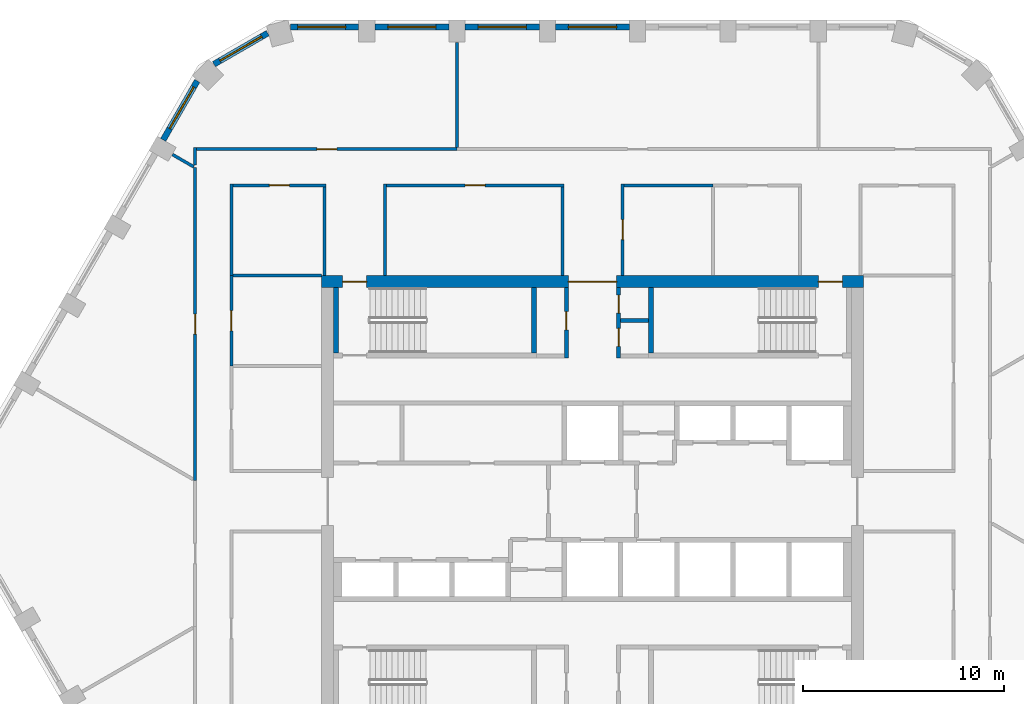
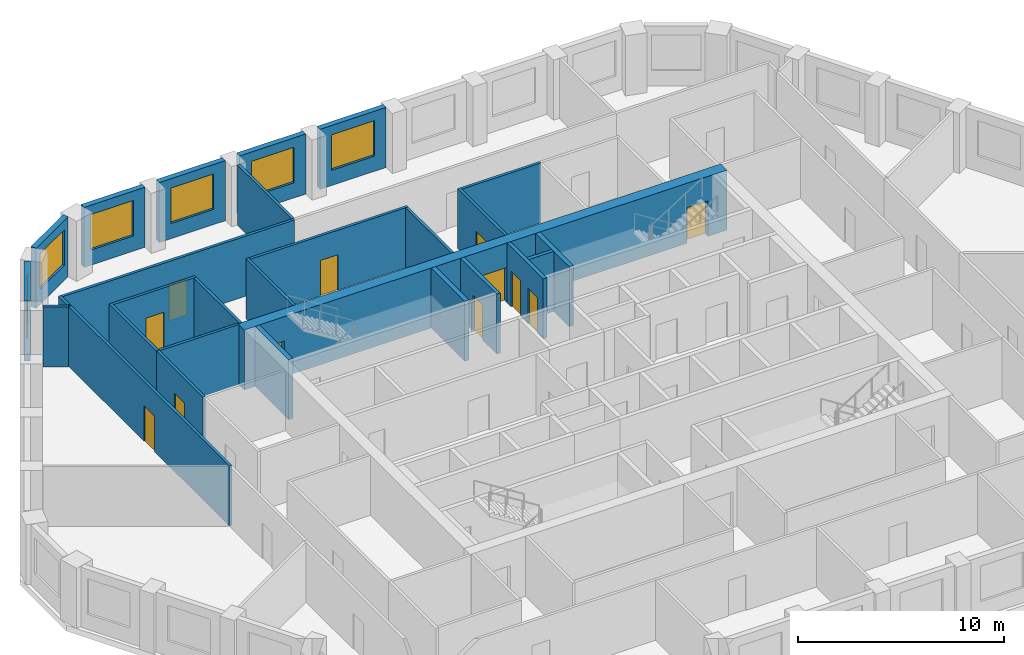
# One storey, part 6 of 9: 28 walls, 12 doors, 6 windows, 18 openings.
"""IFC4 building model written with IfcOpenShell, lengths in metres."""

import ifcopenshell
import ifcopenshell.guid

model = None  # the IFC model being written
_history = None  # IfcOwnerHistory: only IFC2X3 demands one
_inside = {}  # id of a spatial element -> (the spatial element, [elements in it])
_under = {}  # id of a project, library or spatial element -> (it, [spatial elements below it])
_declared = {}  # id of a project -> (the project, [libraries it declares])
_typed = {}  # id of a type object -> (the type object, [elements of that type])
_made_of = {}  # id of a material, layer set ... -> (it, [elements and type objects made of it])


def new_model(schema):
    """Start an empty IFC model of exactly this schema.

    Asked for "IFC4X3", IfcOpenShell would pick the latest addendum, in which some entities
    have other attributes; the version numbers below select the first issue.
    IFC2X3 requires an IfcOwnerHistory on every rooted entity: one is made here for all.
    """
    global model, _history
    if schema == "IFC4X3":
        model = ifcopenshell.file(schema_version=(4, 3, 0, 0))
    else:
        model = ifcopenshell.file(schema=schema)
    _inside.clear()
    _under.clear()
    _declared.clear()
    _typed.clear()
    _made_of.clear()
    _history = None
    if model.schema == "IFC2X3":
        org = make("IfcOrganization", Name="unknown")
        user = make(
            "IfcPersonAndOrganization",
            ThePerson=make("IfcPerson", FamilyName="unknown"),
            TheOrganization=org,
        )
        app = make(
            "IfcApplication",
            ApplicationDeveloper=org,
            Version="unknown",
            ApplicationFullName="unknown",
            ApplicationIdentifier="unknown",
        )
        _history = make(
            "IfcOwnerHistory",
            OwningUser=user,
            OwningApplication=app,
            ChangeAction="ADDED",
            CreationDate=0,
        )
    return model


def make(cls, **values):
    """One entity of the class cls with the attributes given. An attribute that is None is left unset."""
    return model.create_entity(
        cls, **{name: value for name, value in values.items() if value is not None}
    )


def rooted(cls, **values):
    """An entity with a GlobalId (a new one), such as an element, a storey or a relation."""
    return make(cls, GlobalId=ifcopenshell.guid.new(), OwnerHistory=_history, **values)


def si_unit(unit_type, name, prefix=None):
    """IfcSIUnit, for example si_unit("LENGTHUNIT", "METRE", prefix="MILLI")."""
    return make("IfcSIUnit", UnitType=unit_type, Prefix=prefix, Name=name)


def assignment(units):
    """IfcUnitAssignment: the units of a project."""
    return None if units is None else make("IfcUnitAssignment", Units=units)


def point(xyz):
    """IfcCartesianPoint."""
    return None if xyz is None else make("IfcCartesianPoint", Coordinates=xyz)


def direction(xyz):
    """IfcDirection."""
    return None if xyz is None else make("IfcDirection", DirectionRatios=xyz)


def frame(location, z_axis=None, x_axis=None):
    """IfcAxis2Placement3D, a coordinate frame: its origin and axes. An axis left out is left unset."""
    return make(
        "IfcAxis2Placement3D",
        Location=point(location),
        Axis=direction(z_axis),
        RefDirection=direction(x_axis),
    )


def frame_2d(location, x_axis=None):
    """IfcAxis2Placement2D, a coordinate frame in the plane: its origin and x axis."""
    return make(
        "IfcAxis2Placement2D", Location=point(location), RefDirection=direction(x_axis)
    )


def origin():
    """The frame at (0, 0, 0) with its axes left unset."""
    return frame((0.0, 0.0, 0.0))


def place(relative_to, where):
    """IfcLocalPlacement: puts the frame where relative to a parent placement (None: the world)."""
    return make(
        "IfcLocalPlacement", PlacementRelTo=relative_to, RelativePlacement=where
    )


def context(
    kind, dimensions, precision=None, world=None, true_north=None, identifier=None
):
    """IfcGeometricRepresentationContext, for example the 3D "Model" context."""
    return make(
        "IfcGeometricRepresentationContext",
        ContextIdentifier=identifier,
        ContextType=kind,
        CoordinateSpaceDimension=dimensions,
        Precision=precision,
        WorldCoordinateSystem=world,
        TrueNorth=true_north,
    )


def subcontext(parent, identifier, kind, view, scale=None):
    """IfcGeometricRepresentationSubContext, for example "Body" below "Model"."""
    return make(
        "IfcGeometricRepresentationSubContext",
        ContextIdentifier=identifier,
        ContextType=kind,
        ParentContext=parent,
        TargetScale=scale,
        TargetView=view,
    )


def project(units=None, contexts=None):
    """IfcProject with its units and contexts."""
    return rooted(
        "IfcProject",
        Name="project",
        RepresentationContexts=contexts,
        UnitsInContext=assignment(units),
    )


def spatial(cls, under=None, at=None, **own):
    """A site, building, storey or space (cls), placed at a placement, below another one or the project."""
    s = rooted(cls, ObjectPlacement=at, **own)
    if under is not None:
        _under.setdefault(under.id(), (under, []))[1].append(s)
    return s


def profile(cls, at=None, kind="AREA", **sizes):
    """A parametric profile (cls). Its sizes go by their IFC names, for example OverallWidth=200.0."""
    return make(cls, ProfileType=kind, Position=at, **sizes)


def rectangle(**sizes):
    """IfcRectangleProfileDef."""
    return profile("IfcRectangleProfileDef", **sizes)


def extrude(swept, where, along, depth):
    """IfcExtrudedAreaSolid: the profile swept, set in the frame where, extruded along a direction by depth."""
    return make(
        "IfcExtrudedAreaSolid",
        SweptArea=swept,
        Position=where,
        ExtrudedDirection=direction(along),
        Depth=depth,
    )


def shape(context_of_items, identifier, shape_type, items):
    """IfcShapeRepresentation: the items that make up one representation, for example the "Body"."""
    return make(
        "IfcShapeRepresentation",
        ContextOfItems=context_of_items,
        RepresentationIdentifier=identifier,
        RepresentationType=shape_type,
        Items=items,
    )


def material(Name=None, Category=None):
    """IfcMaterial."""
    return make("IfcMaterial", Name=Name, Category=Category)


def layer(
    of_material, thickness, ventilated=None, Name=None, Category=None, Priority=None
):
    """IfcMaterialLayer: one layer of a wall or slab, of a material (None: an air gap)."""
    return make(
        "IfcMaterialLayer",
        Material=of_material,
        LayerThickness=thickness,
        IsVentilated=ventilated,
        Name=Name,
        Category=Category,
        Priority=Priority,
    )


def layer_set(layers, Name=None):
    """IfcMaterialLayerSet."""
    return make("IfcMaterialLayerSet", MaterialLayers=layers, LayerSetName=Name)


def made_of(thing, what):
    """Note that an element or type object is made of a material, layer set ...; save() writes the relation."""
    if what is not None:
        _made_of.setdefault(what.id(), (what, []))[1].append(thing)
    return thing


def type_object(cls, material=None, **own):
    """A type object (cls), such as IfcWallType, which elements share."""
    return made_of(rooted(cls, **own), material)


def element(
    cls,
    number,
    at=None,
    inside=None,
    cuts=None,
    type_object=None,
    material=None,
    context=None,
    identifier="Body",
    shape_type=None,
    held_by="IfcProductDefinitionShape",
    body=None,
    shapes=None,
    **own,
):
    """One element of the class cls, such as IfcWall. Its Tag is "e" and its number.

    at: its placement. inside: the storey or other place that contains it. cuts: it is an
    opening in that element (IfcRelVoidsElement). A single representation is given by context,
    identifier, shape_type and body (its items); several are given by shapes. held_by: the class
    of the entity that holds the representations. save() writes the other relations.
    """
    e = rooted(cls, Tag="e%d" % number, ObjectPlacement=at, **own)
    if body is not None:
        shapes = [shape(context, identifier, shape_type, body)]
    if shapes is not None:
        e.Representation = make(held_by, Representations=shapes)
    if inside is not None:
        _inside.setdefault(inside.id(), (inside, []))[1].append(e)
    if cuts is not None:
        rooted(
            "IfcRelVoidsElement", RelatingBuildingElement=cuts, RelatedOpeningElement=e
        )
    if type_object is not None:
        _typed.setdefault(type_object.id(), (type_object, []))[1].append(e)
    return made_of(e, material)


def fill(opening, filler):
    """IfcRelFillsElement: the door or window that sits in an opening."""
    return rooted(
        "IfcRelFillsElement",
        RelatingOpeningElement=opening,
        RelatedBuildingElement=filler,
    )


def aggregate(whole, parts):
    """IfcRelAggregates: a whole, such as a stair, and the parts it consists of."""
    return rooted("IfcRelAggregates", RelatingObject=whole, RelatedObjects=parts)


def save(model, path):
    """Write the relations noted so far, then the file.

    IfcRelAggregates (storeys below a building ...), IfcRelContainedInSpatialStructure (elements
    in a storey), IfcRelDefinesByType, IfcRelAssociatesMaterial and IfcRelDeclares: one each for
    every whole, place, type object, material and project.
    """
    for whole, parts in _under.values():
        aggregate(whole, parts)
    for where, things in _inside.values():
        rooted(
            "IfcRelContainedInSpatialStructure",
            RelatedElements=things,
            RelatingStructure=where,
        )
    for kind, things in _typed.values():
        rooted("IfcRelDefinesByType", RelatedObjects=things, RelatingType=kind)
    for what, things in _made_of.values():
        rooted("IfcRelAssociatesMaterial", RelatedObjects=things, RelatingMaterial=what)
    for by, libraries in _declared.values():
        rooted("IfcRelDeclares", RelatingContext=by, RelatedDefinitions=libraries)
    model.write(path)


model = new_model("IFC4")

# Units and contexts
model_context = context("Model", 3, precision=1e-05, world=origin(), true_north=direction((0.0, 1.0)))
body_context = subcontext(model_context, "Body", "Model", "MODEL_VIEW")
ifc_project = project(units=[si_unit("LENGTHUNIT", "METRE"), si_unit("AREAUNIT", "SQUARE_METRE"), si_unit("VOLUMEUNIT", "CUBIC_METRE"), si_unit("PLANEANGLEUNIT", "RADIAN"), si_unit("MASSUNIT", "GRAM", prefix="KILO")], contexts=[model_context])

# Site, building, storey
site_placement = place(None, origin())
site = spatial("IfcSite", under=ifc_project, at=site_placement, CompositionType="ELEMENT")
building_placement = place(site_placement, origin())
building = spatial("IfcBuilding", under=site, at=building_placement, Name="Dhurran Vertical Campus", CompositionType="ELEMENT")
storey_placement = place(building_placement, frame((0.0, 0.0, 199.5)))
storey = spatial("IfcBuildingStorey", under=building, at=storey_placement, Name="L49", CompositionType="ELEMENT", Elevation=199.5)

# Wall, opening, window
ifc_material_1 = material(Name="Precast concrete C50/60", Category="concrete")
ifc_layer_1 = layer(ifc_material_1, 0.300048828125)
ifc_layer_set_1 = layer_set([ifc_layer_1], Name="Precast concrete C50/60")
wall_type_1 = type_object("IfcWallType", Name="Precast spandrel wall 300", PredefinedType="SOLIDWALL", material=ifc_layer_set_1)
wall_1_placement = place(storey_placement, frame((1.849609375, 23.635498046875, 0.0), z_axis=(0.0, 0.0, 1.0), x_axis=(-1.0, 0.0, 0.0)))
wall_1 = element("IfcWall", 1, at=wall_1_placement, inside=storey, type_object=wall_type_1, Name="EW1 L49.23", PredefinedType="SOLIDWALL", context=body_context, shape_type="SweptSolid", body=[
    extrude(rectangle(XDim=3.69921875, YDim=0.300048828125, at=frame_2d((1.849609375, 0.0))), origin(), (0.0, 0.0, 1.0), 3.550048828125),
])
opening_1_placement = place(wall_1_placement, frame((0.6494140625, 0.0, 0.89990234375)))
opening_1 = element("IfcOpeningElement", 2, at=opening_1_placement, cuts=wall_1, Name="Opening WT1", PredefinedType="OPENING", context=body_context, shape_type="SweptSolid", body=[
    extrude(rectangle(XDim=2.39990234375, YDim=2.10009765625, at=frame_2d((1.199951171875, 1.050048828125))), frame((0.0, 0.159912109375, 0.0), z_axis=(0.0, -1.0, 0.0), x_axis=(1.0, 0.0, 0.0)), (0.0, 0.0, 1.0), 0.320068359375),
])
ifc_material_2 = material(Name="Aluminium frame with solar-control glass", Category="aluminium")
window_type = type_object("IfcWindowType", Name="Punched window 2400 x 2100", PartitioningType="SINGLE_PANEL", PredefinedType="WINDOW", material=ifc_material_2)
window_1_placement = place(opening_1_placement, origin())
window_1 = element("IfcWindow", 3, at=window_1_placement, inside=storey, type_object=window_type, Name="WT1 L49.23", OverallHeight=2.10009765625, OverallWidth=2.39990234375, PartitioningType="SINGLE_PANEL", PredefinedType="WINDOW", context=body_context, shape_type="SweptSolid", body=[
    extrude(rectangle(XDim=2.39990234375, YDim=2.10009765625, at=frame_2d((1.199951171875, 1.050048828125))), frame((0.0, 0.030029296875, 0.0), z_axis=(0.0, -1.0, 0.0), x_axis=(1.0, 0.0, 0.0)), (0.0, 0.0, 1.0), 0.06005859375),
])
fill(opening_1, window_1)

wall_2_placement = place(storey_placement, frame((-2.650390625, 23.635498046875, 0.0), z_axis=(0.0, 0.0, 1.0), x_axis=(-1.0, 0.0, 0.0)))
wall_2 = element("IfcWall", 4, at=wall_2_placement, inside=storey, type_object=wall_type_1, Name="EW1 L49.24", PredefinedType="SOLIDWALL", context=body_context, shape_type="SweptSolid", body=[
    extrude(rectangle(XDim=3.69921875, YDim=0.300048828125, at=frame_2d((1.849609375, 0.0))), origin(), (0.0, 0.0, 1.0), 3.550048828125),
])
opening_2_placement = place(wall_2_placement, frame((0.6494140625, 0.0, 0.89990234375)))
opening_2 = element("IfcOpeningElement", 5, at=opening_2_placement, cuts=wall_2, Name="Opening WT1", PredefinedType="OPENING", context=body_context, shape_type="SweptSolid", body=[
    extrude(rectangle(XDim=2.39990234375, YDim=2.10009765625, at=frame_2d((1.199951171875, 1.050048828125))), frame((0.0, 0.159912109375, 0.0), z_axis=(0.0, -1.0, 0.0), x_axis=(1.0, 0.0, 0.0)), (0.0, 0.0, 1.0), 0.320068359375),
])
window_2_placement = place(opening_2_placement, origin())
window_2 = element("IfcWindow", 6, at=window_2_placement, inside=storey, type_object=window_type, Name="WT1 L49.24", OverallHeight=2.10009765625, OverallWidth=2.39990234375, PartitioningType="SINGLE_PANEL", PredefinedType="WINDOW", context=body_context, shape_type="SweptSolid", body=[
    extrude(rectangle(XDim=2.39990234375, YDim=2.10009765625, at=frame_2d((1.199951171875, 1.050048828125))), frame((0.0, 0.030029296875, 0.0), z_axis=(0.0, -1.0, 0.0), x_axis=(1.0, 0.0, 0.0)), (0.0, 0.0, 1.0), 0.06005859375),
])
fill(opening_2, window_2)

wall_3_placement = place(storey_placement, frame((-7.150390625, 23.635498046875, 0.0), z_axis=(0.0, 0.0, 1.0), x_axis=(-1.0, 0.0, 0.0)))
wall_3 = element("IfcWall", 7, at=wall_3_placement, inside=storey, type_object=wall_type_1, Name="EW1 L49.25", PredefinedType="SOLIDWALL", context=body_context, shape_type="SweptSolid", body=[
    extrude(rectangle(XDim=3.69921875, YDim=0.300048828125, at=frame_2d((1.849609375, 0.0))), origin(), (0.0, 0.0, 1.0), 3.550048828125),
])
opening_3_placement = place(wall_3_placement, frame((0.6494140625, 0.0, 0.89990234375)))
opening_3 = element("IfcOpeningElement", 8, at=opening_3_placement, cuts=wall_3, Name="Opening WT1", PredefinedType="OPENING", context=body_context, shape_type="SweptSolid", body=[
    extrude(rectangle(XDim=2.39990234375, YDim=2.10009765625, at=frame_2d((1.199951171875, 1.050048828125))), frame((0.0, 0.159912109375, 0.0), z_axis=(0.0, -1.0, 0.0), x_axis=(1.0, 0.0, 0.0)), (0.0, 0.0, 1.0), 0.320068359375),
])
window_3_placement = place(opening_3_placement, origin())
window_3 = element("IfcWindow", 9, at=window_3_placement, inside=storey, type_object=window_type, Name="WT1 L49.25", OverallHeight=2.10009765625, OverallWidth=2.39990234375, PartitioningType="SINGLE_PANEL", PredefinedType="WINDOW", context=body_context, shape_type="SweptSolid", body=[
    extrude(rectangle(XDim=2.39990234375, YDim=2.10009765625, at=frame_2d((1.199951171875, 1.050048828125))), frame((0.0, 0.030029296875, 0.0), z_axis=(0.0, -1.0, 0.0), x_axis=(1.0, 0.0, 0.0)), (0.0, 0.0, 1.0), 0.06005859375),
])
fill(opening_3, window_3)

wall_4_placement = place(storey_placement, frame((-11.650390625, 23.635498046875, 0.0), z_axis=(0.0, 0.0, 1.0), x_axis=(-1.0, 0.0, 0.0)))
wall_4 = element("IfcWall", 10, at=wall_4_placement, inside=storey, type_object=wall_type_1, Name="EW1 L49.26", PredefinedType="SOLIDWALL", context=body_context, shape_type="SweptSolid", body=[
    extrude(rectangle(XDim=3.39599609375, YDim=0.300048828125, at=frame_2d((1.697998046875, 0.0))), origin(), (0.0, 0.0, 1.0), 3.550048828125),
])
opening_4_placement = place(wall_4_placement, frame((0.6494140625, 0.0, 0.89990234375)))
opening_4 = element("IfcOpeningElement", 11, at=opening_4_placement, cuts=wall_4, Name="Opening WT1", PredefinedType="OPENING", context=body_context, shape_type="SweptSolid", body=[
    extrude(rectangle(XDim=2.39990234375, YDim=2.10009765625, at=frame_2d((1.199951171875, 1.050048828125))), frame((0.0, 0.159912109375, 0.0), z_axis=(0.0, -1.0, 0.0), x_axis=(1.0, 0.0, 0.0)), (0.0, 0.0, 1.0), 0.320068359375),
])
window_4_placement = place(opening_4_placement, origin())
window_4 = element("IfcWindow", 12, at=window_4_placement, inside=storey, type_object=window_type, Name="WT1 L49.26", OverallHeight=2.10009765625, OverallWidth=2.39990234375, PartitioningType="SINGLE_PANEL", PredefinedType="WINDOW", context=body_context, shape_type="SweptSolid", body=[
    extrude(rectangle(XDim=2.39990234375, YDim=2.10009765625, at=frame_2d((1.199951171875, 1.050048828125))), frame((0.0, 0.030029296875, 0.0), z_axis=(0.0, -1.0, 0.0), x_axis=(1.0, 0.0, 0.0)), (0.0, 0.0, 1.0), 0.06005859375),
])
fill(opening_4, window_4)

wall_5_placement = place(storey_placement, frame((-16.184326171875, 23.330810546875, 0.0), z_axis=(0.0, 0.0, 1.0), x_axis=(-0.865994975416, -0.500052699777, 0.0)))
wall_5 = element("IfcWall", 13, at=wall_5_placement, inside=storey, type_object=wall_type_1, Name="EW1 L49.27", PredefinedType="SOLIDWALL", context=body_context, shape_type="SweptSolid", body=[
    extrude(rectangle(XDim=3.093017578125, YDim=0.300048828125, at=frame_2d((1.54638671875, 0.0))), origin(), (0.0, 0.0, 1.0), 3.550048828125),
])
opening_5_placement = place(wall_5_placement, frame((0.346435546875, 0.0, 0.89990234375)))
opening_5 = element("IfcOpeningElement", 14, at=opening_5_placement, cuts=wall_5, Name="Opening WT1", PredefinedType="OPENING", context=body_context, shape_type="SweptSolid", body=[
    extrude(rectangle(XDim=2.39990234375, YDim=2.10009765625, at=frame_2d((1.199951171875, 1.050048828125))), frame((0.0, 0.159912109375, 0.0), z_axis=(0.0, -1.0, 0.0), x_axis=(1.0, 0.0, 0.0)), (0.0, 0.0, 1.0), 0.320068359375),
])
window_5_placement = place(opening_5_placement, origin())
window_5 = element("IfcWindow", 15, at=window_5_placement, inside=storey, type_object=window_type, Name="WT1 L49.27", OverallHeight=2.10009765625, OverallWidth=2.39990234375, PartitioningType="SINGLE_PANEL", PredefinedType="WINDOW", context=body_context, shape_type="SweptSolid", body=[
    extrude(rectangle(XDim=2.39990234375, YDim=2.10009765625, at=frame_2d((1.199951171875, 1.050048828125))), frame((0.0, 0.030029296875, 0.0), z_axis=(0.0, -1.0, 0.0), x_axis=(1.0, 0.0, 0.0)), (0.0, 0.0, 1.0), 0.06005859375),
])
fill(opening_5, window_5)

wall_6_placement = place(storey_placement, frame((-19.69580078125, 20.951171875, 0.0), z_axis=(0.0, 0.0, 1.0), x_axis=(-0.500012868213, -0.866017974191, 0.0)))
wall_6 = element("IfcWall", 16, at=wall_6_placement, inside=storey, type_object=wall_type_1, Name="EW1 L49.28", PredefinedType="SOLIDWALL", context=body_context, shape_type="SweptSolid", body=[
    extrude(rectangle(XDim=3.39599609375, YDim=0.300048828125, at=frame_2d((1.697998046875, 0.0))), origin(), (0.0, 0.0, 1.0), 3.550048828125),
])
opening_6_placement = place(wall_6_placement, frame((0.346435546875, 0.0, 0.89990234375)))
opening_6 = element("IfcOpeningElement", 17, at=opening_6_placement, cuts=wall_6, Name="Opening WT1", PredefinedType="OPENING", context=body_context, shape_type="SweptSolid", body=[
    extrude(rectangle(XDim=2.39990234375, YDim=2.10009765625, at=frame_2d((1.199951171875, 1.050048828125))), frame((0.0, 0.159912109375, 0.0), z_axis=(0.0, -1.0, 0.0), x_axis=(1.0, 0.0, 0.0)), (0.0, 0.0, 1.0), 0.320068359375),
])
window_6_placement = place(opening_6_placement, origin())
window_6 = element("IfcWindow", 18, at=window_6_placement, inside=storey, type_object=window_type, Name="WT1 L49.28", OverallHeight=2.10009765625, OverallWidth=2.39990234375, PartitioningType="SINGLE_PANEL", PredefinedType="WINDOW", context=body_context, shape_type="SweptSolid", body=[
    extrude(rectangle(XDim=2.39990234375, YDim=2.10009765625, at=frame_2d((1.199951171875, 1.050048828125))), frame((0.0, 0.030029296875, 0.0), z_axis=(0.0, -1.0, 0.0), x_axis=(1.0, 0.0, 0.0)), (0.0, 0.0, 1.0), 0.06005859375),
])
fill(opening_6, window_6)

# Wall, openings, doors
ifc_material_3 = material(Name="Concrete C50/60", Category="concrete")
ifc_layer_2 = layer(ifc_material_3, 0.60009765625)
ifc_layer_set_2 = layer_set([ifc_layer_2], Name="Concrete C50/60")
wall_type_2 = type_object("IfcWallType", Name="co-CORE-WALL-C2-600", PredefinedType="SHEAR", material=ifc_layer_set_2)
wall_7_placement = place(storey_placement, frame((-13.5, 10.949951171875, 0.0), z_axis=(0.0, 0.0, 1.0), x_axis=(1.0, 0.0, 0.0)))
wall_7 = element("IfcWall", 19, at=wall_7_placement, inside=storey, type_object=wall_type_2, Name="Core wall N L49", PredefinedType="SHEAR", context=body_context, shape_type="SweptSolid", body=[
    extrude(rectangle(XDim=27.0, YDim=0.60009765625, at=frame_2d((13.5, 0.0))), origin(), (0.0, 0.0, 1.0), 3.550048828125),
])
opening_7_placement = place(wall_7_placement, frame((12.300048828125, 0.0, 0.0)))
opening_7 = element("IfcOpeningElement", 20, at=opening_7_placement, cuts=wall_7, Name="Opening CV1", PredefinedType="OPENING", context=body_context, shape_type="SweptSolid", body=[
    extrude(rectangle(XDim=2.39990234375, YDim=2.10009765625, at=frame_2d((1.199951171875, 1.050048828125))), frame((0.0, 0.31005859375, 0.0), z_axis=(0.0, -1.0, 0.0), x_axis=(1.0, 0.0, 0.0)), (0.0, 0.0, 1.0), 0.6201171875),
])
opening_8_placement = place(wall_7_placement, frame((1.050048828125, 0.0, 0.0)))
opening_8 = element("IfcOpeningElement", 21, at=opening_8_placement, cuts=wall_7, Name="Opening XD1", PredefinedType="OPENING", context=body_context, shape_type="SweptSolid", body=[
    extrude(rectangle(XDim=1.199951171875, YDim=2.10009765625, at=frame_2d((0.60009765625, 1.050048828125))), frame((0.0, 0.31005859375, 0.0), z_axis=(0.0, -1.0, 0.0), x_axis=(1.0, 0.0, 0.0)), (0.0, 0.0, 1.0), 0.6201171875),
])
opening_9_placement = place(wall_7_placement, frame((24.75, 0.0, 0.0)))
opening_9 = element("IfcOpeningElement", 22, at=opening_9_placement, cuts=wall_7, Name="Opening XD2", PredefinedType="OPENING", context=body_context, shape_type="SweptSolid", body=[
    extrude(rectangle(XDim=1.199951171875, YDim=2.10009765625, at=frame_2d((0.60009765625, 1.050048828125))), frame((0.0, 0.31005859375, 0.0), z_axis=(0.0, -1.0, 0.0), x_axis=(1.0, 0.0, 0.0)), (0.0, 0.0, 1.0), 0.6201171875),
])
ifc_material_4 = material(Name="Fire-rated glazed door set")
door_type_1 = type_object("IfcDoorType", Name="co-D-LOBBY 2400x2100", OperationType="DOUBLE_DOOR_DOUBLE_SWING", PredefinedType="DOOR", material=ifc_material_4)
door_1_placement = place(opening_7_placement, origin())
door_1 = element("IfcDoor", 23, at=door_1_placement, inside=storey, type_object=door_type_1, Name="Core vestibule door N L49", OperationType="DOUBLE_DOOR_DOUBLE_SWING", OverallHeight=2.10009765625, OverallWidth=2.39990234375, PredefinedType="DOOR", context=body_context, shape_type="SweptSolid", body=[
    extrude(rectangle(XDim=2.39990234375, YDim=2.10009765625, at=frame_2d((1.199951171875, 1.050048828125))), frame((0.0, 0.02490234375, 0.0), z_axis=(0.0, -1.0, 0.0), x_axis=(1.0, 0.0, 0.0)), (0.0, 0.0, 1.0), 0.050048828125),
])
fill(opening_7, door_1)
ifc_material_5 = material(Name="Fire-rated steel door set", Category="steel")
door_type_2 = type_object("IfcDoorType", Name="co-D-STAIR-EXIT 1200x2100", OperationType="SINGLE_SWING_RIGHT", PredefinedType="DOOR", material=ifc_material_5)
door_2_placement = place(opening_8_placement, origin())
door_2 = element("IfcDoor", 24, at=door_2_placement, inside=storey, type_object=door_type_2, Name="Stair ST1 exit door L49", OperationType="SINGLE_SWING_RIGHT", OverallHeight=2.10009765625, OverallWidth=1.199951171875, PredefinedType="DOOR", context=body_context, shape_type="SweptSolid", body=[
    extrude(rectangle(XDim=1.199951171875, YDim=2.10009765625, at=frame_2d((0.60009765625, 1.050048828125))), frame((0.0, 0.02490234375, 0.0), z_axis=(0.0, -1.0, 0.0), x_axis=(1.0, 0.0, 0.0)), (0.0, 0.0, 1.0), 0.050048828125),
])
fill(opening_8, door_2)
door_3_placement = place(opening_9_placement, origin())
door_3 = element("IfcDoor", 25, at=door_3_placement, inside=storey, type_object=door_type_2, Name="Stair ST2 exit door L49", OperationType="SINGLE_SWING_RIGHT", OverallHeight=2.10009765625, OverallWidth=1.199951171875, PredefinedType="DOOR", context=body_context, shape_type="SweptSolid", body=[
    extrude(rectangle(XDim=1.199951171875, YDim=2.10009765625, at=frame_2d((0.60009765625, 1.050048828125))), frame((0.0, 0.02490234375, 0.0), z_axis=(0.0, -1.0, 0.0), x_axis=(1.0, 0.0, 0.0)), (0.0, 0.0, 1.0), 0.050048828125),
])
fill(opening_9, door_3)

# Wall
ifc_material_6 = material(Name="Fire-rated masonry blockwork", Category="masonry")
ifc_layer_3 = layer(ifc_material_6, 0.199951171875)
ifc_layer_set_3 = layer_set([ifc_layer_3], Name="Fire-rated masonry blockwork")
wall_type_3 = type_object("IfcWallType", Name="co-FIRE-PARTITION-200", PredefinedType="PARTITIONING", material=ifc_layer_set_3)
wall_8_placement = place(storey_placement, frame((1.39990234375, 9.0, 0.0), z_axis=(0.0, 0.0, 1.0), x_axis=(1.0, 0.0, 0.0)))
element("IfcWall", 26, at=wall_8_placement, inside=storey, type_object=wall_type_3, Name="Core partition sl-NE-cut0 L49", PredefinedType="PARTITIONING", context=body_context, shape_type="SweptSolid", body=[
    extrude(rectangle(XDim=1.400146484375, YDim=0.199951171875, at=frame_2d((0.7001953125, 0.0))), origin(), (0.0, 0.0, 1.0), 3.550048828125),
])

# Wall, opening, door
wall_9_placement = place(storey_placement, frame((-1.300048828125, 7.14990234375, 0.0), z_axis=(0.0, 0.0, 1.0), x_axis=(0.0, 1.0, 0.0)))
wall_9 = element("IfcWall", 27, at=wall_9_placement, inside=storey, type_object=wall_type_3, Name="Core partition vest-NW L49", PredefinedType="PARTITIONING", context=body_context, shape_type="SweptSolid", body=[
    extrude(rectangle(XDim=3.5, YDim=0.199951171875, at=frame_2d((1.75, 0.0))), origin(), (0.0, 0.0, 1.0), 3.550048828125),
])
opening_10_placement = place(wall_9_placement, frame((1.39990234375, 0.0, 0.0)))
opening_10 = element("IfcOpeningElement", 28, at=opening_10_placement, cuts=wall_9, Name="Opening T14-C3", PredefinedType="OPENING", context=body_context, shape_type="SweptSolid", body=[
    extrude(rectangle(XDim=0.89990234375, YDim=2.10009765625, at=frame_2d((0.449951171875, 1.050048828125))), frame((0.0, 0.10986328125, 0.0), z_axis=(0.0, -1.0, 0.0), x_axis=(1.0, 0.0, 0.0)), (0.0, 0.0, 1.0), 0.219970703125),
])
ifc_material_7 = material(Name="Fire-rated timber door set", Category="wood")
door_type_3 = type_object("IfcDoorType", Name="co-D-ROOM 900x2100", OperationType="SINGLE_SWING_LEFT", PredefinedType="DOOR", material=ifc_material_7)
door_4_placement = place(opening_10_placement, origin())
door_4 = element("IfcDoor", 29, at=door_4_placement, inside=storey, type_object=door_type_3, Name="Cleaner's store door L49", OperationType="SINGLE_SWING_LEFT", OverallHeight=2.10009765625, OverallWidth=0.89990234375, PredefinedType="DOOR", context=body_context, shape_type="SweptSolid", body=[
    extrude(rectangle(XDim=0.89990234375, YDim=2.10009765625, at=frame_2d((0.449951171875, 1.050048828125))), frame((0.0, 0.02490234375, 0.0), z_axis=(0.0, -1.0, 0.0), x_axis=(1.0, 0.0, 0.0)), (0.0, 0.0, 1.0), 0.050048828125),
])
fill(opening_10, door_4)

# Wall, openings, doors
wall_10_placement = place(storey_placement, frame((1.300048828125, 7.14990234375, 0.0), z_axis=(0.0, 0.0, 1.0), x_axis=(0.0, 1.0, 0.0)))
wall_10 = element("IfcWall", 30, at=wall_10_placement, inside=storey, type_object=wall_type_3, Name="Core partition vest-NE L49", PredefinedType="PARTITIONING", context=body_context, shape_type="SweptSolid", body=[
    extrude(rectangle(XDim=3.5, YDim=0.199951171875, at=frame_2d((1.75, 0.0))), origin(), (0.0, 0.0, 1.0), 3.550048828125),
])
opening_11_placement = place(wall_10_placement, frame((0.574951171875, 0.0, 0.0)))
opening_11 = element("IfcOpeningElement", 31, at=opening_11_placement, cuts=wall_10, Name="Opening T14-C4", PredefinedType="OPENING", context=body_context, shape_type="SweptSolid", body=[
    extrude(rectangle(XDim=0.89990234375, YDim=2.10009765625, at=frame_2d((0.449951171875, 1.050048828125))), frame((0.0, 0.10986328125, 0.0), z_axis=(0.0, -1.0, 0.0), x_axis=(1.0, 0.0, 0.0)), (0.0, 0.0, 1.0), 0.219970703125),
])
opening_12_placement = place(wall_10_placement, frame((2.22509765625, 0.0, 0.0)))
opening_12 = element("IfcOpeningElement", 32, at=opening_12_placement, cuts=wall_10, Name="Opening T14-C5", PredefinedType="OPENING", context=body_context, shape_type="SweptSolid", body=[
    extrude(rectangle(XDim=0.89990234375, YDim=2.10009765625, at=frame_2d((0.449951171875, 1.050048828125))), frame((0.0, 0.10986328125, 0.0), z_axis=(0.0, -1.0, 0.0), x_axis=(1.0, 0.0, 0.0)), (0.0, 0.0, 1.0), 0.219970703125),
])
door_5_placement = place(opening_11_placement, origin())
door_5 = element("IfcDoor", 33, at=door_5_placement, inside=storey, type_object=door_type_3, Name="Pantry door L49", OperationType="SINGLE_SWING_LEFT", OverallHeight=2.10009765625, OverallWidth=0.89990234375, PredefinedType="DOOR", context=body_context, shape_type="SweptSolid", body=[
    extrude(rectangle(XDim=0.89990234375, YDim=2.10009765625, at=frame_2d((0.449951171875, 1.050048828125))), frame((0.0, 0.02490234375, 0.0), z_axis=(0.0, -1.0, 0.0), x_axis=(1.0, 0.0, 0.0)), (0.0, 0.0, 1.0), 0.050048828125),
])
fill(opening_11, door_5)
door_6_placement = place(opening_12_placement, origin())
door_6 = element("IfcDoor", 34, at=door_6_placement, inside=storey, type_object=door_type_3, Name="Plant room door L49", OperationType="SINGLE_SWING_LEFT", OverallHeight=2.10009765625, OverallWidth=0.89990234375, PredefinedType="DOOR", context=body_context, shape_type="SweptSolid", body=[
    extrude(rectangle(XDim=0.89990234375, YDim=2.10009765625, at=frame_2d((0.449951171875, 1.050048828125))), frame((0.0, 0.02490234375, 0.0), z_axis=(0.0, -1.0, 0.0), x_axis=(1.0, 0.0, 0.0)), (0.0, 0.0, 1.0), 0.050048828125),
])
fill(opening_12, door_6)

# Walls
ifc_material_8 = material(Name="Concrete C40/50", Category="concrete")
ifc_layer_4 = layer(ifc_material_8, 0.25)
ifc_layer_set_4 = layer_set([ifc_layer_4], Name="Concrete C40/50")
wall_type_4 = type_object("IfcWallType", Name="co-STAIR-WALL-250", PredefinedType="SHEAR", material=ifc_layer_set_4)
for number, where, z_axis, x_axis, name in (
    (35, (-12.77490234375, 7.39990234375, 0.0), (0.0, 0.0, 1.0), (0.0, 1.0, 0.0), "Stair ST1 enclosure wall L49"),
    (36, (-2.925048828125, 7.39990234375, 0.0), (0.0, 0.0, 1.0), (0.0, 1.0, 0.0), "Stair ST1 enclosure wall L49"),
    (37, (2.925048828125, 7.39990234375, 0.0), (0.0, 0.0, 1.0), (0.0, 1.0, 0.0), "Stair ST2 enclosure wall L49"),
):
    element("IfcWall", number, at=place(storey_placement, frame(where, z_axis=z_axis, x_axis=x_axis)), inside=storey, type_object=wall_type_4, Name=name, PredefinedType="SHEAR", context=body_context, shape_type="SweptSolid", body=[
        extrude(rectangle(XDim=3.25, YDim=0.25, at=frame_2d((1.625, 0.0))), origin(), (0.0, 0.0, 1.0), 3.550048828125),
    ])

# Wall, opening, door
ifc_material_9 = material(Name="Gypsum board corridor wall on steel studs", Category="steel")
ifc_layer_5 = layer(ifc_material_9, 0.14990234375)
ifc_layer_set_5 = layer_set([ifc_layer_5], Name="Gypsum board corridor wall on steel studs")
wall_type_5 = type_object("IfcWallType", Name="fl-CW-150 corridor wall", PredefinedType="PARTITIONING", material=ifc_layer_set_5)
wall_11_placement = place(storey_placement, frame((-19.800048828125, 16.6279296875, 0.0), z_axis=(0.0, 0.0, 1.0), x_axis=(0.0, -1.0, 0.0)))
wall_11 = element("IfcWall", 38, at=wall_11_placement, inside=storey, type_object=wall_type_5, Name="Partition 49-09", PredefinedType="PARTITIONING", context=body_context, shape_type="SweptSolid", body=[
    extrude(rectangle(XDim=15.5888671875, YDim=0.14990234375, at=frame_2d((7.79443359375, 0.0))), origin(), (0.0, 0.0, 1.0), 3.550048828125),
])
opening_13_placement = place(wall_11_placement, frame((7.29443359375, 0.0, 0.0)))
opening_13 = element("IfcOpeningElement", 39, at=opening_13_placement, cuts=wall_11, Name="Opening T14.02", PredefinedType="OPENING", context=body_context, shape_type="SweptSolid", body=[
    extrude(rectangle(XDim=1.0, YDim=2.10009765625, at=frame_2d((0.5, 1.050048828125))), frame((0.0, 0.0849609375, 0.0), z_axis=(0.0, -1.0, 0.0), x_axis=(1.0, 0.0, 0.0)), (0.0, 0.0, 1.0), 0.169921875),
])
ifc_material_10 = material(Name="Solid-core timber door set, fire-rated", Category="wood")
door_type_4 = type_object("IfcDoorType", Name="fl-D-1000x2100", OperationType="SINGLE_SWING_LEFT", PredefinedType="DOOR", material=ifc_material_10)
door_7_placement = place(opening_13_placement, origin())
door_7 = element("IfcDoor", 40, at=door_7_placement, inside=storey, type_object=door_type_4, Name="Door 49.02", OperationType="SINGLE_SWING_RIGHT", OverallHeight=2.10009765625, OverallWidth=1.0, PredefinedType="DOOR", context=body_context, shape_type="SweptSolid", body=[
    extrude(rectangle(XDim=1.0, YDim=2.10009765625, at=frame_2d((0.5, 1.050048828125))), frame((0.0, 0.02490234375, 0.0), z_axis=(0.0, -1.0, 0.0), x_axis=(1.0, 0.0, 0.0)), (0.0, 0.0, 1.0), 0.050048828125),
])
fill(opening_13, door_7)

# Wall
wall_12_placement = place(storey_placement, frame((-19.800048828125, 17.625, 0.0), z_axis=(0.0, 0.0, 1.0), x_axis=(0.0, -1.0, 0.0)))
element("IfcWall", 41, at=wall_12_placement, inside=storey, type_object=wall_type_5, Name="Partition 49-10", PredefinedType="PARTITIONING", context=body_context, shape_type="SweptSolid", body=[
    extrude(rectangle(XDim=0.866943359375, YDim=0.14990234375, at=frame_2d((0.43359375, 0.0))), origin(), (0.0, 0.0, 1.0), 3.550048828125),
])

# Wall, opening, door
wall_13_placement = place(storey_placement, frame((-6.75, 17.550048828125, 0.0), z_axis=(0.0, 0.0, 1.0), x_axis=(-1.0, 0.0, 0.0)))
wall_13 = element("IfcWall", 42, at=wall_13_placement, inside=storey, type_object=wall_type_5, Name="Partition 49-11", PredefinedType="PARTITIONING", context=body_context, shape_type="SweptSolid", body=[
    extrude(rectangle(XDim=12.97509765625, YDim=0.14990234375, at=frame_2d((6.487548828125, 0.0))), origin(), (0.0, 0.0, 1.0), 3.550048828125),
])
opening_14_placement = place(wall_13_placement, frame((5.987548828125, 0.0, 0.0)))
opening_14 = element("IfcOpeningElement", 43, at=opening_14_placement, cuts=wall_13, Name="Opening T14.10", PredefinedType="OPENING", context=body_context, shape_type="SweptSolid", body=[
    extrude(rectangle(XDim=1.0, YDim=2.10009765625, at=frame_2d((0.5, 1.050048828125))), frame((0.0, 0.0849609375, 0.0), z_axis=(0.0, -1.0, 0.0), x_axis=(1.0, 0.0, 0.0)), (0.0, 0.0, 1.0), 0.169921875),
])
door_8_placement = place(opening_14_placement, origin())
door_8 = element("IfcDoor", 44, at=door_8_placement, inside=storey, type_object=door_type_4, Name="Door 49.10", OperationType="SINGLE_SWING_LEFT", OverallHeight=2.10009765625, OverallWidth=1.0, PredefinedType="DOOR", context=body_context, shape_type="SweptSolid", body=[
    extrude(rectangle(XDim=1.0, YDim=2.10009765625, at=frame_2d((0.5, 1.050048828125))), frame((0.0, 0.02490234375, 0.0), z_axis=(0.0, -1.0, 0.0), x_axis=(1.0, 0.0, 0.0)), (0.0, 0.0, 1.0), 0.050048828125),
])
fill(opening_14, door_8)

wall_14_placement = place(storey_placement, frame((-18.0, 6.75, 0.0), z_axis=(0.0, 0.0, 1.0), x_axis=(0.0, 1.0, 0.0)))
wall_14 = element("IfcWall", 45, at=wall_14_placement, inside=storey, type_object=wall_type_5, Name="Partition 49-19", PredefinedType="PARTITIONING", context=body_context, shape_type="SweptSolid", body=[
    extrude(rectangle(XDim=4.5, YDim=0.14990234375, at=frame_2d((2.25, 0.0))), origin(), (0.0, 0.0, 1.0), 3.550048828125),
])
opening_15_placement = place(wall_14_placement, frame((1.75, 0.0, 0.0)))
opening_15 = element("IfcOpeningElement", 46, at=opening_15_placement, cuts=wall_14, Name="Opening T14.06", PredefinedType="OPENING", context=body_context, shape_type="SweptSolid", body=[
    extrude(rectangle(XDim=1.0, YDim=2.10009765625, at=frame_2d((0.5, 1.050048828125))), frame((0.0, 0.0849609375, 0.0), z_axis=(0.0, -1.0, 0.0), x_axis=(1.0, 0.0, 0.0)), (0.0, 0.0, 1.0), 0.169921875),
])
door_9_placement = place(opening_15_placement, origin())
door_9 = element("IfcDoor", 47, at=door_9_placement, inside=storey, type_object=door_type_4, Name="Door 49.06", OperationType="SINGLE_SWING_RIGHT", OverallHeight=2.10009765625, OverallWidth=1.0, PredefinedType="DOOR", context=body_context, shape_type="SweptSolid", body=[
    extrude(rectangle(XDim=1.0, YDim=2.10009765625, at=frame_2d((0.5, 1.050048828125))), frame((0.0, 0.02490234375, 0.0), z_axis=(0.0, -1.0, 0.0), x_axis=(1.0, 0.0, 0.0)), (0.0, 0.0, 1.0), 0.050048828125),
])
fill(opening_15, door_9)

# Wall
wall_15_placement = place(storey_placement, frame((-18.0, 11.25, 0.0), z_axis=(0.0, 0.0, 1.0), x_axis=(0.0, 1.0, 0.0)))
element("IfcWall", 48, at=wall_15_placement, inside=storey, type_object=wall_type_5, Name="Partition 49-21", PredefinedType="PARTITIONING", context=body_context, shape_type="SweptSolid", body=[
    extrude(rectangle(XDim=4.574951171875, YDim=0.14990234375, at=frame_2d((2.28759765625, 0.0))), origin(), (0.0, 0.0, 1.0), 3.550048828125),
])

# Wall, opening, door
wall_16_placement = place(storey_placement, frame((-17.925048828125, 15.75, 0.0), z_axis=(0.0, 0.0, 1.0), x_axis=(1.0, 0.0, 0.0)))
wall_16 = element("IfcWall", 49, at=wall_16_placement, inside=storey, type_object=wall_type_5, Name="Partition 49-23", PredefinedType="PARTITIONING", context=body_context, shape_type="SweptSolid", body=[
    extrude(rectangle(XDim=4.650146484375, YDim=0.14990234375, at=frame_2d((2.3251953125, 0.0))), origin(), (0.0, 0.0, 1.0), 3.550048828125),
])
opening_16_placement = place(wall_16_placement, frame((1.824951171875, 0.0, 0.0)))
opening_16 = element("IfcOpeningElement", 50, at=opening_16_placement, cuts=wall_16, Name="Opening T14.08", PredefinedType="OPENING", context=body_context, shape_type="SweptSolid", body=[
    extrude(rectangle(XDim=1.0, YDim=2.10009765625, at=frame_2d((0.5, 1.050048828125))), frame((0.0, 0.0849609375, 0.0), z_axis=(0.0, -1.0, 0.0), x_axis=(1.0, 0.0, 0.0)), (0.0, 0.0, 1.0), 0.169921875),
])
door_10_placement = place(opening_16_placement, origin())
door_10 = element("IfcDoor", 51, at=door_10_placement, inside=storey, type_object=door_type_4, Name="Door 49.08", OperationType="SINGLE_SWING_LEFT", OverallHeight=2.10009765625, OverallWidth=1.0, PredefinedType="DOOR", context=body_context, shape_type="SweptSolid", body=[
    extrude(rectangle(XDim=1.0, YDim=2.10009765625, at=frame_2d((0.5, 1.050048828125))), frame((0.0, 0.02490234375, 0.0), z_axis=(0.0, -1.0, 0.0), x_axis=(1.0, 0.0, 0.0)), (0.0, 0.0, 1.0), 0.050048828125),
])
fill(opening_16, door_10)

# Walls
wall_17_placement = place(storey_placement, frame((-13.35009765625, 15.675048828125, 0.0), z_axis=(0.0, 0.0, 1.0), x_axis=(0.0, -1.0, 0.0)))
element("IfcWall", 52, at=wall_17_placement, inside=storey, type_object=wall_type_5, Name="Partition 49-25", PredefinedType="PARTITIONING", context=body_context, shape_type="SweptSolid", body=[
    extrude(rectangle(XDim=4.425048828125, YDim=0.14990234375, at=frame_2d((2.21240234375, 0.0))), origin(), (0.0, 0.0, 1.0), 3.550048828125),
])
wall_18_placement = place(storey_placement, frame((-10.35009765625, 11.25, 0.0), z_axis=(0.0, 0.0, 1.0), x_axis=(0.0, 1.0, 0.0)))
element("IfcWall", 53, at=wall_18_placement, inside=storey, type_object=wall_type_5, Name="Partition 49-28", PredefinedType="PARTITIONING", context=body_context, shape_type="SweptSolid", body=[
    extrude(rectangle(XDim=4.574951171875, YDim=0.14990234375, at=frame_2d((2.28759765625, 0.0))), origin(), (0.0, 0.0, 1.0), 3.550048828125),
])

# Wall, opening, door
wall_19_placement = place(storey_placement, frame((-10.27490234375, 15.75, 0.0), z_axis=(0.0, 0.0, 1.0), x_axis=(1.0, 0.0, 0.0)))
wall_19 = element("IfcWall", 54, at=wall_19_placement, inside=storey, type_object=wall_type_5, Name="Partition 49-29", PredefinedType="PARTITIONING", context=body_context, shape_type="SweptSolid", body=[
    extrude(rectangle(XDim=8.849853515625, YDim=0.14990234375, at=frame_2d((4.4248046875, 0.0))), origin(), (0.0, 0.0, 1.0), 3.550048828125),
])
opening_17_placement = place(wall_19_placement, frame((3.925048828125, 0.0, 0.0)))
opening_17 = element("IfcOpeningElement", 55, at=opening_17_placement, cuts=wall_19, Name="Opening T14.12", PredefinedType="OPENING", context=body_context, shape_type="SweptSolid", body=[
    extrude(rectangle(XDim=1.0, YDim=2.10009765625, at=frame_2d((0.5, 1.050048828125))), frame((0.0, 0.0849609375, 0.0), z_axis=(0.0, -1.0, 0.0), x_axis=(1.0, 0.0, 0.0)), (0.0, 0.0, 1.0), 0.169921875),
])
door_11_placement = place(opening_17_placement, origin())
door_11 = element("IfcDoor", 56, at=door_11_placement, inside=storey, type_object=door_type_4, Name="Door 49.12", OperationType="SINGLE_SWING_RIGHT", OverallHeight=2.10009765625, OverallWidth=1.0, PredefinedType="DOOR", context=body_context, shape_type="SweptSolid", body=[
    extrude(rectangle(XDim=1.0, YDim=2.10009765625, at=frame_2d((0.5, 1.050048828125))), frame((0.0, 0.02490234375, 0.0), z_axis=(0.0, -1.0, 0.0), x_axis=(1.0, 0.0, 0.0)), (0.0, 0.0, 1.0), 0.050048828125),
])
fill(opening_17, door_11)

# Wall
wall_20_placement = place(storey_placement, frame((-1.5, 15.675048828125, 0.0), z_axis=(0.0, 0.0, 1.0), x_axis=(0.0, -1.0, 0.0)))
element("IfcWall", 57, at=wall_20_placement, inside=storey, type_object=wall_type_5, Name="Partition 49-35", PredefinedType="PARTITIONING", context=body_context, shape_type="SweptSolid", body=[
    extrude(rectangle(XDim=4.425048828125, YDim=0.14990234375, at=frame_2d((2.21240234375, 0.0))), origin(), (0.0, 0.0, 1.0), 3.550048828125),
])

# Wall, opening, door
wall_21_placement = place(storey_placement, frame((1.5, 11.25, 0.0), z_axis=(0.0, 0.0, 1.0), x_axis=(0.0, 1.0, 0.0)))
wall_21 = element("IfcWall", 58, at=wall_21_placement, inside=storey, type_object=wall_type_5, Name="Partition 49-38", PredefinedType="PARTITIONING", context=body_context, shape_type="SweptSolid", body=[
    extrude(rectangle(XDim=4.574951171875, YDim=0.14990234375, at=frame_2d((2.28759765625, 0.0))), origin(), (0.0, 0.0, 1.0), 3.550048828125),
])
opening_18_placement = place(wall_21_placement, frame((1.78759765625, 0.0, 0.0)))
opening_18 = element("IfcOpeningElement", 59, at=opening_18_placement, cuts=wall_21, Name="Opening T14.15", PredefinedType="OPENING", context=body_context, shape_type="SweptSolid", body=[
    extrude(rectangle(XDim=1.0, YDim=2.10009765625, at=frame_2d((0.5, 1.050048828125))), frame((0.0, 0.0849609375, 0.0), z_axis=(0.0, -1.0, 0.0), x_axis=(1.0, 0.0, 0.0)), (0.0, 0.0, 1.0), 0.169921875),
])
door_12_placement = place(opening_18_placement, origin())
door_12 = element("IfcDoor", 60, at=door_12_placement, inside=storey, type_object=door_type_4, Name="Door 49.15", OperationType="SINGLE_SWING_LEFT", OverallHeight=2.10009765625, OverallWidth=1.0, PredefinedType="DOOR", context=body_context, shape_type="SweptSolid", body=[
    extrude(rectangle(XDim=1.0, YDim=2.10009765625, at=frame_2d((0.5, 1.050048828125))), frame((0.0, 0.02490234375, 0.0), z_axis=(0.0, -1.0, 0.0), x_axis=(1.0, 0.0, 0.0)), (0.0, 0.0, 1.0), 0.050048828125),
])
fill(opening_18, door_12)

# Walls
wall_22_placement = place(storey_placement, frame((1.574951171875, 15.75, 0.0), z_axis=(0.0, 0.0, 1.0), x_axis=(1.0, 0.0, 0.0)))
element("IfcWall", 61, at=wall_22_placement, inside=storey, type_object=wall_type_5, Name="Partition 49-39", PredefinedType="PARTITIONING", context=body_context, shape_type="SweptSolid", body=[
    extrude(rectangle(XDim=4.425048828125, YDim=0.14990234375, at=frame_2d((2.21240234375, 0.0))), origin(), (0.0, 0.0, 1.0), 3.550048828125),
])
ifc_material_11 = material(Name="Gypsum board partition on steel studs", Category="steel")
ifc_layer_6 = layer(ifc_material_11, 0.14990234375)
ifc_layer_set_6 = layer_set([ifc_layer_6], Name="Gypsum board partition on steel studs")
wall_type_6 = type_object("IfcWallType", Name="fl-PW-150 fixed partition", PredefinedType="PARTITIONING", material=ifc_layer_set_6)
wall_23_placement = place(storey_placement, frame((-20.92724609375, 17.2783203125, 0.0), z_axis=(0.0, 0.0, 1.0), x_axis=(0.866202157257, -0.499693728962, 0.0)))
element("IfcWall", 62, at=wall_23_placement, inside=storey, type_object=wall_type_6, Name="Partition 49-04", PredefinedType="PARTITIONING", context=body_context, shape_type="SweptSolid", body=[
    extrude(rectangle(XDim=1.226318359375, YDim=0.14990234375, at=frame_2d((0.61328125, 0.0))), origin(), (0.0, 0.0, 1.0), 3.550048828125),
])
wall_24_placement = place(storey_placement, frame((-17.925048828125, 11.25, 0.0), z_axis=(0.0, 0.0, 1.0), x_axis=(1.0, 0.0, 0.0)))
element("IfcWall", 63, at=wall_24_placement, inside=storey, type_object=wall_type_6, Name="Partition 49-22", PredefinedType="PARTITIONING", context=body_context, shape_type="SweptSolid", body=[
    extrude(rectangle(XDim=4.425048828125, YDim=0.14990234375, at=frame_2d((2.21240234375, 0.0))), origin(), (0.0, 0.0, 1.0), 3.550048828125),
])
wall_25_placement = place(storey_placement, frame((-6.75, 22.865478515625, 0.0), z_axis=(0.0, 0.0, 1.0), x_axis=(0.0, -1.0, 0.0)))
element("IfcWall", 64, at=wall_25_placement, inside=storey, type_object=wall_type_6, Name="Partition 49-32", PredefinedType="PARTITIONING", context=body_context, shape_type="SweptSolid", body=[
    extrude(rectangle(XDim=5.240478515625, YDim=0.14990234375, at=frame_2d((2.6201171875, 0.0))), origin(), (0.0, 0.0, 1.0), 3.550048828125),
])

save(model, "model.ifc")
